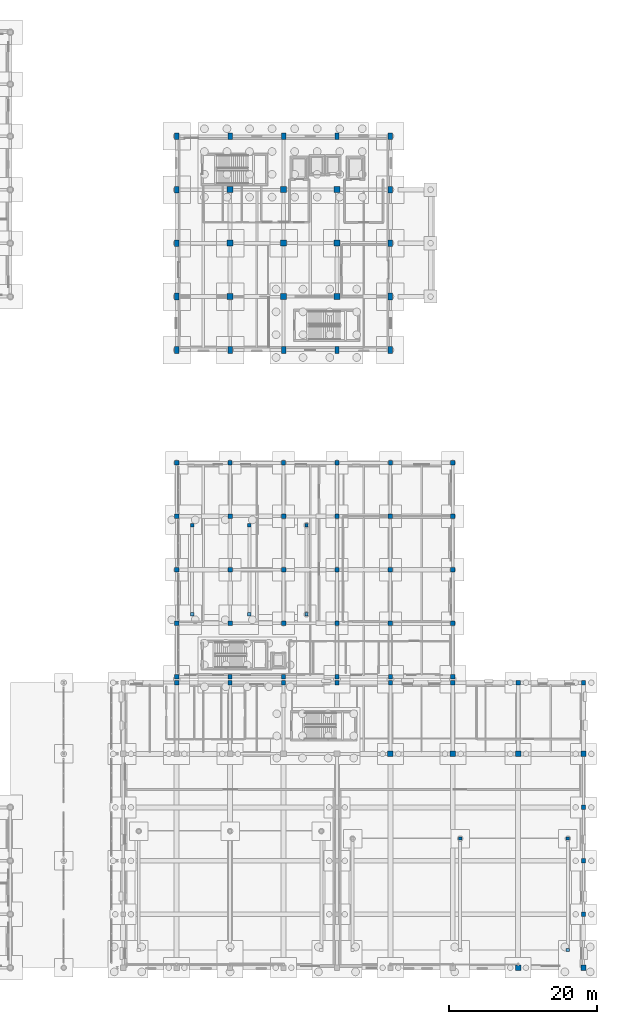
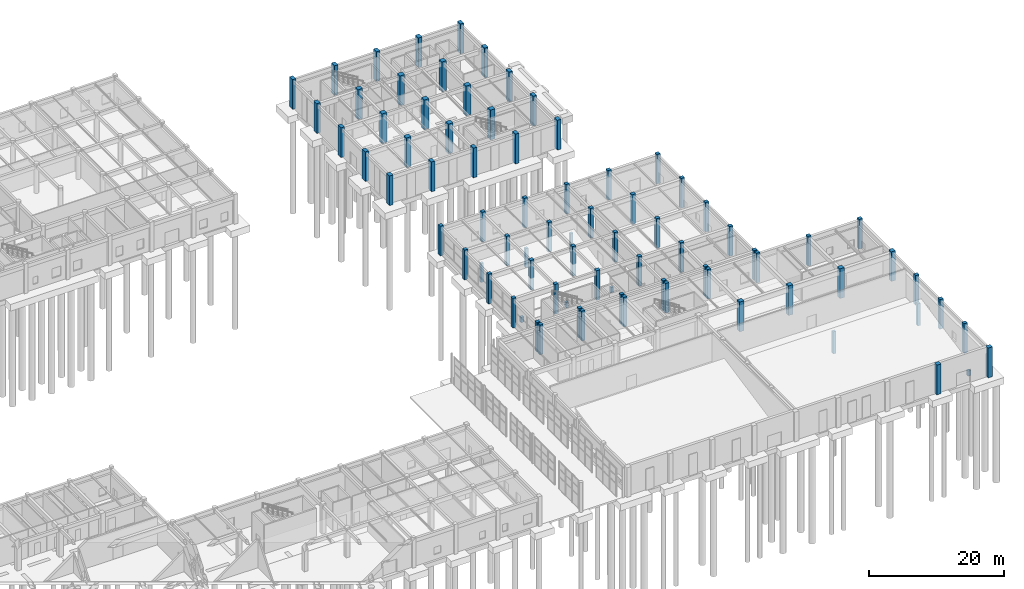
# One storey, part 14 of 91: 81 columns.
"""IFC4 building model written with IfcOpenShell, lengths in metres."""

import ifcopenshell
import ifcopenshell.guid

model = None  # the IFC model being written
_history = None  # IfcOwnerHistory: only IFC2X3 demands one
_inside = {}  # id of a spatial element -> (the spatial element, [elements in it])
_under = {}  # id of a project, library or spatial element -> (it, [spatial elements below it])
_declared = {}  # id of a project -> (the project, [libraries it declares])
_typed = {}  # id of a type object -> (the type object, [elements of that type])
_made_of = {}  # id of a material, layer set ... -> (it, [elements and type objects made of it])


def new_model(schema):
    """Start an empty IFC model of exactly this schema.

    Asked for "IFC4X3", IfcOpenShell would pick the latest addendum, in which some entities
    have other attributes; the version numbers below select the first issue.
    IFC2X3 requires an IfcOwnerHistory on every rooted entity: one is made here for all.
    """
    global model, _history
    if schema == "IFC4X3":
        model = ifcopenshell.file(schema_version=(4, 3, 0, 0))
    else:
        model = ifcopenshell.file(schema=schema)
    _inside.clear()
    _under.clear()
    _declared.clear()
    _typed.clear()
    _made_of.clear()
    _history = None
    if model.schema == "IFC2X3":
        org = make("IfcOrganization", Name="unknown")
        user = make(
            "IfcPersonAndOrganization",
            ThePerson=make("IfcPerson", FamilyName="unknown"),
            TheOrganization=org,
        )
        app = make(
            "IfcApplication",
            ApplicationDeveloper=org,
            Version="unknown",
            ApplicationFullName="unknown",
            ApplicationIdentifier="unknown",
        )
        _history = make(
            "IfcOwnerHistory",
            OwningUser=user,
            OwningApplication=app,
            ChangeAction="ADDED",
            CreationDate=0,
        )
    return model


def make(cls, **values):
    """One entity of the class cls with the attributes given. An attribute that is None is left unset."""
    return model.create_entity(
        cls, **{name: value for name, value in values.items() if value is not None}
    )


def rooted(cls, **values):
    """An entity with a GlobalId (a new one), such as an element, a storey or a relation."""
    return make(cls, GlobalId=ifcopenshell.guid.new(), OwnerHistory=_history, **values)


def si_unit(unit_type, name, prefix=None):
    """IfcSIUnit, for example si_unit("LENGTHUNIT", "METRE", prefix="MILLI")."""
    return make("IfcSIUnit", UnitType=unit_type, Prefix=prefix, Name=name)


def assignment(units):
    """IfcUnitAssignment: the units of a project."""
    return None if units is None else make("IfcUnitAssignment", Units=units)


def point(xyz):
    """IfcCartesianPoint."""
    return None if xyz is None else make("IfcCartesianPoint", Coordinates=xyz)


def direction(xyz):
    """IfcDirection."""
    return None if xyz is None else make("IfcDirection", DirectionRatios=xyz)


def frame(location, z_axis=None, x_axis=None):
    """IfcAxis2Placement3D, a coordinate frame: its origin and axes. An axis left out is left unset."""
    return make(
        "IfcAxis2Placement3D",
        Location=point(location),
        Axis=direction(z_axis),
        RefDirection=direction(x_axis),
    )


def frame_2d(location, x_axis=None):
    """IfcAxis2Placement2D, a coordinate frame in the plane: its origin and x axis."""
    return make(
        "IfcAxis2Placement2D", Location=point(location), RefDirection=direction(x_axis)
    )


def origin():
    """The frame at (0, 0, 0) with its axes left unset."""
    return frame((0.0, 0.0, 0.0))


def origin_2d():
    """The frame at (0, 0) in the plane with its x axis left unset."""
    return frame_2d((0.0, 0.0))


def place(relative_to, where):
    """IfcLocalPlacement: puts the frame where relative to a parent placement (None: the world)."""
    return make(
        "IfcLocalPlacement", PlacementRelTo=relative_to, RelativePlacement=where
    )


def context(
    kind, dimensions, precision=None, world=None, true_north=None, identifier=None
):
    """IfcGeometricRepresentationContext, for example the 3D "Model" context."""
    return make(
        "IfcGeometricRepresentationContext",
        ContextIdentifier=identifier,
        ContextType=kind,
        CoordinateSpaceDimension=dimensions,
        Precision=precision,
        WorldCoordinateSystem=world,
        TrueNorth=true_north,
    )


def subcontext(parent, identifier, kind, view, scale=None):
    """IfcGeometricRepresentationSubContext, for example "Body" below "Model"."""
    return make(
        "IfcGeometricRepresentationSubContext",
        ContextIdentifier=identifier,
        ContextType=kind,
        ParentContext=parent,
        TargetScale=scale,
        TargetView=view,
    )


def project(units=None, contexts=None):
    """IfcProject with its units and contexts."""
    return rooted(
        "IfcProject",
        Name="project",
        RepresentationContexts=contexts,
        UnitsInContext=assignment(units),
    )


def spatial(cls, under=None, at=None, **own):
    """A site, building, storey or space (cls), placed at a placement, below another one or the project."""
    s = rooted(cls, ObjectPlacement=at, **own)
    if under is not None:
        _under.setdefault(under.id(), (under, []))[1].append(s)
    return s


def profile(cls, at=None, kind="AREA", **sizes):
    """A parametric profile (cls). Its sizes go by their IFC names, for example OverallWidth=200.0."""
    return make(cls, ProfileType=kind, Position=at, **sizes)


def rectangle(**sizes):
    """IfcRectangleProfileDef."""
    return profile("IfcRectangleProfileDef", **sizes)


def extrude(swept, where, along, depth):
    """IfcExtrudedAreaSolid: the profile swept, set in the frame where, extruded along a direction by depth."""
    return make(
        "IfcExtrudedAreaSolid",
        SweptArea=swept,
        Position=where,
        ExtrudedDirection=direction(along),
        Depth=depth,
    )


def shape(context_of_items, identifier, shape_type, items):
    """IfcShapeRepresentation: the items that make up one representation, for example the "Body"."""
    return make(
        "IfcShapeRepresentation",
        ContextOfItems=context_of_items,
        RepresentationIdentifier=identifier,
        RepresentationType=shape_type,
        Items=items,
    )


def material(Name=None, Category=None):
    """IfcMaterial."""
    return make("IfcMaterial", Name=Name, Category=Category)


def material_profile(
    of_material, cross_section, Name=None, Category=None, Priority=None
):
    """IfcMaterialProfile: a cross section and its material."""
    return make(
        "IfcMaterialProfile",
        Name=Name,
        Material=of_material,
        Profile=cross_section,
        Priority=Priority,
        Category=Category,
    )


def profile_set(profiles, Name=None, composite=None):
    """IfcMaterialProfileSet."""
    return make(
        "IfcMaterialProfileSet",
        Name=Name,
        MaterialProfiles=profiles,
        CompositeProfile=composite,
    )


def made_of(thing, what):
    """Note that an element or type object is made of a material, layer set ...; save() writes the relation."""
    if what is not None:
        _made_of.setdefault(what.id(), (what, []))[1].append(thing)
    return thing


def type_object(cls, material=None, **own):
    """A type object (cls), such as IfcWallType, which elements share."""
    return made_of(rooted(cls, **own), material)


def element(
    cls,
    number,
    at=None,
    inside=None,
    cuts=None,
    type_object=None,
    material=None,
    context=None,
    identifier="Body",
    shape_type=None,
    held_by="IfcProductDefinitionShape",
    body=None,
    shapes=None,
    **own,
):
    """One element of the class cls, such as IfcWall. Its Tag is "e" and its number.

    at: its placement. inside: the storey or other place that contains it. cuts: it is an
    opening in that element (IfcRelVoidsElement). A single representation is given by context,
    identifier, shape_type and body (its items); several are given by shapes. held_by: the class
    of the entity that holds the representations. save() writes the other relations.
    """
    e = rooted(cls, Tag="e%d" % number, ObjectPlacement=at, **own)
    if body is not None:
        shapes = [shape(context, identifier, shape_type, body)]
    if shapes is not None:
        e.Representation = make(held_by, Representations=shapes)
    if inside is not None:
        _inside.setdefault(inside.id(), (inside, []))[1].append(e)
    if cuts is not None:
        rooted(
            "IfcRelVoidsElement", RelatingBuildingElement=cuts, RelatedOpeningElement=e
        )
    if type_object is not None:
        _typed.setdefault(type_object.id(), (type_object, []))[1].append(e)
    return made_of(e, material)


def aggregate(whole, parts):
    """IfcRelAggregates: a whole, such as a stair, and the parts it consists of."""
    return rooted("IfcRelAggregates", RelatingObject=whole, RelatedObjects=parts)


def save(model, path):
    """Write the relations noted so far, then the file.

    IfcRelAggregates (storeys below a building ...), IfcRelContainedInSpatialStructure (elements
    in a storey), IfcRelDefinesByType, IfcRelAssociatesMaterial and IfcRelDeclares: one each for
    every whole, place, type object, material and project.
    """
    for whole, parts in _under.values():
        aggregate(whole, parts)
    for where, things in _inside.values():
        rooted(
            "IfcRelContainedInSpatialStructure",
            RelatedElements=things,
            RelatingStructure=where,
        )
    for kind, things in _typed.values():
        rooted("IfcRelDefinesByType", RelatedObjects=things, RelatingType=kind)
    for what, things in _made_of.values():
        rooted("IfcRelAssociatesMaterial", RelatedObjects=things, RelatingMaterial=what)
    for by, libraries in _declared.values():
        rooted("IfcRelDeclares", RelatingContext=by, RelatedDefinitions=libraries)
    model.write(path)


model = new_model("IFC4")

# Units and contexts
model_context = context("Model", 3, precision=1e-05, world=origin(), true_north=direction((0.0, 1.0)))
body_context = subcontext(model_context, "Body", "Model", "MODEL_VIEW")
ifc_project = project(units=[si_unit("LENGTHUNIT", "METRE"), si_unit("AREAUNIT", "SQUARE_METRE"), si_unit("VOLUMEUNIT", "CUBIC_METRE"), si_unit("PLANEANGLEUNIT", "RADIAN"), si_unit("MASSUNIT", "GRAM", prefix="KILO")], contexts=[model_context])

# Site, building, storey
site_placement = place(None, origin())
site = spatial("IfcSite", under=ifc_project, at=site_placement, CompositionType="ELEMENT")
building_placement = place(site_placement, origin())
building = spatial("IfcBuilding", under=site, at=building_placement, Name="Bramveld Media Centre", CompositionType="ELEMENT")
storey_placement = place(building_placement, origin())
storey = spatial("IfcBuildingStorey", under=building, at=storey_placement, Name="L00", CompositionType="ELEMENT", Elevation=0.0)

# Columns
ifc_material_1 = material(Name="Concrete C40/50", Category="concrete")
ifc_material_profile_1 = material_profile(ifc_material_1, rectangle(XDim=0.580078125, YDim=0.580078125, at=origin_2d()), Name="RC 580x580")
ifc_profile_set_1 = profile_set([ifc_material_profile_1], Name="Concrete C40/50")
column_type_1 = type_object("IfcColumnType", Name="COL-EXT-RC-580x580", PredefinedType="COLUMN", material=ifc_profile_set_1)
for number, where, z_axis, x_axis, name in (
    (1, (131.199951171875, 38.39990234375, 0.0), (0.0, 0.0, 1.0), (1.0, 0.0, 0.0), "V1 L00 column RC 580x580"),
    (2, (138.39990234375, 38.39990234375, 0.0), (0.0, 0.0, 1.0), (1.0, 0.0, 0.0), "V1 L00 column RC 580x580"),
    (3, (145.60009765625, 38.39990234375, 0.0), (0.0, 0.0, 1.0), (1.0, 0.0, 0.0), "V1 L00 column RC 580x580"),
    (4, (152.800048828125, 38.39990234375, 0.0), (0.0, 0.0, 1.0), (1.0, 0.0, 0.0), "V1 L00 column RC 580x580"),
    (5, (160.0, 38.39990234375, 0.0), (0.0, 0.0, 1.0), (1.0, 0.0, 0.0), "V1 L00 column RC 580x580"),
    (6, (168.39990234375, 38.39990234375, 0.0), (0.0, 0.0, 1.0), (1.0, 0.0, 0.0), "V1 L00 column RC 580x580"),
    (7, (177.199951171875, 38.39990234375, 0.0), (0.0, 0.0, 1.0), (1.0, 0.0, 0.0), "V1 L00 column RC 580x580"),
    (8, (186.0, 7.199951171875, 0.0), (0.0, 0.0, 1.0), (1.0, 0.0, 0.0), "V1 L00 column RC 580x580"),
    (9, (186.0, 14.39990234375, 0.0), (0.0, 0.0, 1.0), (1.0, 0.0, 0.0), "V1 L00 column RC 580x580"),
    (10, (186.0, 21.60009765625, 0.0), (0.0, 0.0, 1.0), (1.0, 0.0, 0.0), "V1 L00 column RC 580x580"),
    (11, (186.0, 38.39990234375, 0.0), (0.0, 0.0, 1.0), (1.0, 0.0, 0.0), "V1 L00 column RC 580x580"),
    (12, (131.199951171875, 39.199951171875, 0.0), (0.0, 0.0, 1.0), (1.0, 0.0, 0.0), "V4 L00 column RC 580x580"),
    (13, (131.199951171875, 46.39990234375, 0.0), (0.0, 0.0, 1.0), (1.0, 0.0, 0.0), "V4 L00 column RC 580x580"),
    (14, (131.199951171875, 53.60009765625, 0.0), (0.0, 0.0, 1.0), (1.0, 0.0, 0.0), "V4 L00 column RC 580x580"),
    (15, (131.199951171875, 60.800048828125, 0.0), (0.0, 0.0, 1.0), (1.0, 0.0, 0.0), "V4 L00 column RC 580x580"),
    (16, (131.199951171875, 68.0, 0.0), (0.0, 0.0, 1.0), (1.0, 0.0, 0.0), "V4 L00 column RC 580x580"),
    (17, (138.39990234375, 39.199951171875, 0.0), (0.0, 0.0, 1.0), (1.0, 0.0, 0.0), "V4 L00 column RC 580x580"),
    (18, (138.39990234375, 68.0, 0.0), (0.0, 0.0, 1.0), (1.0, 0.0, 0.0), "V4 L00 column RC 580x580"),
    (19, (145.60009765625, 39.199951171875, 0.0), (0.0, 0.0, 1.0), (1.0, 0.0, 0.0), "V4 L00 column RC 580x580"),
    (20, (145.60009765625, 68.0, 0.0), (0.0, 0.0, 1.0), (1.0, 0.0, 0.0), "V4 L00 column RC 580x580"),
    (21, (152.800048828125, 39.199951171875, 0.0), (0.0, 0.0, 1.0), (1.0, 0.0, 0.0), "V4 L00 column RC 580x580"),
    (22, (152.800048828125, 68.0, 0.0), (0.0, 0.0, 1.0), (1.0, 0.0, 0.0), "V4 L00 column RC 580x580"),
    (23, (160.0, 39.199951171875, 0.0), (0.0, 0.0, 1.0), (1.0, 0.0, 0.0), "V4 L00 column RC 580x580"),
    (24, (160.0, 68.0, 0.0), (0.0, 0.0, 1.0), (1.0, 0.0, 0.0), "V4 L00 column RC 580x580"),
    (25, (168.39990234375, 39.199951171875, 0.0), (0.0, 0.0, 1.0), (1.0, 0.0, 0.0), "V4 L00 column RC 580x580"),
    (26, (168.39990234375, 46.39990234375, 0.0), (0.0, 0.0, 1.0), (1.0, 0.0, 0.0), "V4 L00 column RC 580x580"),
    (27, (168.39990234375, 53.60009765625, 0.0), (0.0, 0.0, 1.0), (1.0, 0.0, 0.0), "V4 L00 column RC 580x580"),
    (28, (168.39990234375, 60.800048828125, 0.0), (0.0, 0.0, 1.0), (1.0, 0.0, 0.0), "V4 L00 column RC 580x580"),
    (29, (168.39990234375, 68.0, 0.0), (0.0, 0.0, 1.0), (1.0, 0.0, 0.0), "V4 L00 column RC 580x580"),
):
    element("IfcColumn", number, at=place(storey_placement, frame(where, z_axis=z_axis, x_axis=x_axis)), inside=storey, type_object=column_type_1, Name=name, PredefinedType="COLUMN", context=body_context, shape_type="SweptSolid", body=[
        extrude(rectangle(XDim=0.580078125, YDim=0.580078125, at=origin_2d()), origin(), (0.0, 0.0, 1.0), 5.39990234375),
    ])
ifc_material_2 = material(Name="Concrete C40/50", Category="concrete")
ifc_material_profile_2 = material_profile(ifc_material_2, rectangle(XDim=0.60009765625, YDim=0.89990234375, at=origin_2d()), Name="RC 600x900")
ifc_profile_set_2 = profile_set([ifc_material_profile_2], Name="Concrete C40/50")
column_type_2 = type_object("IfcColumnType", Name="COL-EXT-RC-600x900", PredefinedType="COLUMN", material=ifc_profile_set_2)
for number, where, z_axis, x_axis, name in (
    (30, (131.199951171875, 83.199951171875, 0.0), (0.0, 0.0, 1.0), (1.0, 0.0, 0.0), "V7 L00 column RC 600x900"),
    (31, (131.199951171875, 90.39990234375, 0.0), (0.0, 0.0, 1.0), (1.0, 0.0, 0.0), "V7 L00 column RC 600x900"),
    (32, (131.199951171875, 97.60009765625, 0.0), (0.0, 0.0, 1.0), (1.0, 0.0, 0.0), "V7 L00 column RC 600x900"),
    (33, (131.199951171875, 104.800048828125, 0.0), (0.0, 0.0, 1.0), (1.0, 0.0, 0.0), "V7 L00 column RC 600x900"),
    (34, (131.199951171875, 112.0, 0.0), (0.0, 0.0, 1.0), (1.0, 0.0, 0.0), "V7 L00 column RC 600x900"),
    (35, (138.39990234375, 83.199951171875, 0.0), (0.0, 0.0, 1.0), (1.0, 0.0, 0.0), "V7 L00 column RC 600x900"),
    (36, (138.39990234375, 112.0, 0.0), (0.0, 0.0, 1.0), (1.0, 0.0, 0.0), "V7 L00 column RC 600x900"),
    (37, (145.60009765625, 83.199951171875, 0.0), (0.0, 0.0, 1.0), (1.0, 0.0, 0.0), "V7 L00 column RC 600x900"),
    (38, (145.60009765625, 112.0, 0.0), (0.0, 0.0, 1.0), (1.0, 0.0, 0.0), "V7 L00 column RC 600x900"),
    (39, (152.800048828125, 83.199951171875, 0.0), (0.0, 0.0, 1.0), (1.0, 0.0, 0.0), "V7 L00 column RC 600x900"),
    (40, (152.800048828125, 112.0, 0.0), (0.0, 0.0, 1.0), (1.0, 0.0, 0.0), "V7 L00 column RC 600x900"),
    (41, (160.0, 83.199951171875, 0.0), (0.0, 0.0, 1.0), (1.0, 0.0, 0.0), "V7 L00 column RC 600x900"),
    (42, (160.0, 90.39990234375, 0.0), (0.0, 0.0, 1.0), (1.0, 0.0, 0.0), "V7 L00 column RC 600x900"),
    (43, (160.0, 97.60009765625, 0.0), (0.0, 0.0, 1.0), (1.0, 0.0, 0.0), "V7 L00 column RC 600x900"),
    (44, (160.0, 104.800048828125, 0.0), (0.0, 0.0, 1.0), (1.0, 0.0, 0.0), "V7 L00 column RC 600x900"),
    (45, (160.0, 112.0, 0.0), (0.0, 0.0, 1.0), (1.0, 0.0, 0.0), "V7 L00 column RC 600x900"),
):
    element("IfcColumn", number, at=place(storey_placement, frame(where, z_axis=z_axis, x_axis=x_axis)), inside=storey, type_object=column_type_2, Name=name, PredefinedType="COLUMN", context=body_context, shape_type="SweptSolid", body=[
        extrude(rectangle(XDim=0.60009765625, YDim=0.89990234375, at=origin_2d()), origin(), (0.0, 0.0, 1.0), 5.39990234375),
    ])
ifc_material_3 = material(Name="Concrete C40/50", Category="concrete")
ifc_material_profile_3 = material_profile(ifc_material_3, rectangle(XDim=0.719970703125, YDim=0.719970703125, at=origin_2d()), Name="RC 720x720")
ifc_profile_set_3 = profile_set([ifc_material_profile_3], Name="Concrete C40/50")
column_type_3 = type_object("IfcColumnType", Name="COL-EXT-RC-720x720", PredefinedType="COLUMN", material=ifc_profile_set_3)
for number, where, z_axis, x_axis, name in (
    (46, (177.199951171875, 0.0, 0.0), (0.0, 0.0, 1.0), (1.0, 0.0, 0.0), "V1 L00 column RC 720x720"),
    (47, (186.0, 0.0, 0.0), (0.0, 0.0, 1.0), (1.0, 0.0, 0.0), "V1 L00 column RC 720x720"),
    (48, (186.0, 28.800048828125, 0.0), (0.0, 0.0, 1.0), (1.0, 0.0, 0.0), "V1 L00 column RC 720x720"),
):
    element("IfcColumn", number, at=place(storey_placement, frame(where, z_axis=z_axis, x_axis=x_axis)), inside=storey, type_object=column_type_3, Name=name, PredefinedType="COLUMN", context=body_context, shape_type="SweptSolid", body=[
        extrude(rectangle(XDim=0.719970703125, YDim=0.719970703125, at=origin_2d()), origin(), (0.0, 0.0, 1.0), 5.39990234375),
    ])
ifc_material_4 = material(Name="Concrete C40/50", Category="concrete")
ifc_material_profile_4 = material_profile(ifc_material_4, rectangle(XDim=0.449951171875, YDim=0.449951171875, at=origin_2d()), Name="RC 450x450")
ifc_profile_set_4 = profile_set([ifc_material_profile_4], Name="Concrete C40/50")
column_type_4 = type_object("IfcColumnType", Name="COL-INT-RC-450x450", PredefinedType="COLUMN", material=ifc_profile_set_4)
column_1_placement = place(storey_placement, frame((169.39990234375, 17.39990234375, -0.550048828125), z_axis=(0.0, 0.0, 1.0), x_axis=(1.0, 0.0, 0.0)))
element("IfcColumn", 49, at=column_1_placement, inside=storey, type_object=column_type_4, Name="Cinema 2 Raked Seating Slab upper raker column 2", PredefinedType="COLUMN", context=body_context, shape_type="SweptSolid", body=[
    extrude(rectangle(XDim=0.449951171875, YDim=0.449951171875, at=origin_2d()), origin(), (0.0, 0.0, 1.0), 4.01513671875),
])
column_2_placement = place(storey_placement, frame((183.89990234375, 2.39990234375, -0.550048828125), z_axis=(0.0, 0.0, 1.0), x_axis=(1.0, 0.0, 0.0)))
element("IfcColumn", 50, at=column_2_placement, inside=storey, type_object=column_type_4, Name="Cinema 2 Raked Seating Slab lower raker pedestal 3", PredefinedType="COLUMN", context=body_context, shape_type="SweptSolid", body=[
    extrude(rectangle(XDim=0.449951171875, YDim=0.449951171875, at=origin_2d()), origin(), (0.0, 0.0, 1.0), 0.945068359375),
])
column_3_placement = place(storey_placement, frame((183.89990234375, 17.39990234375, -0.550048828125), z_axis=(0.0, 0.0, 1.0), x_axis=(1.0, 0.0, 0.0)))
element("IfcColumn", 51, at=column_3_placement, inside=storey, type_object=column_type_4, Name="Cinema 2 Raked Seating Slab upper raker column 3", PredefinedType="COLUMN", context=body_context, shape_type="SweptSolid", body=[
    extrude(rectangle(XDim=0.449951171875, YDim=0.449951171875, at=origin_2d()), origin(), (0.0, 0.0, 1.0), 4.01513671875),
])
column_4_placement = place(storey_placement, frame((133.300048828125, 47.60009765625, -0.550048828125), z_axis=(0.0, 0.0, 1.0), x_axis=(1.0, 0.0, 0.0)))
element("IfcColumn", 52, at=column_4_placement, inside=storey, type_object=column_type_4, Name="Screen 7 Raked Seating Slab lower raker pedestal 1", PredefinedType="COLUMN", context=body_context, shape_type="SweptSolid", body=[
    extrude(rectangle(XDim=0.449951171875, YDim=0.449951171875, at=origin_2d()), origin(), (0.0, 0.0, 1.0), 0.985107421875),
])
column_5_placement = place(storey_placement, frame((133.300048828125, 59.60009765625, -0.550048828125), z_axis=(0.0, 0.0, 1.0), x_axis=(1.0, 0.0, 0.0)))
element("IfcColumn", 53, at=column_5_placement, inside=storey, type_object=column_type_4, Name="Screen 7 Raked Seating Slab upper raker column 1", PredefinedType="COLUMN", context=body_context, shape_type="SweptSolid", body=[
    extrude(rectangle(XDim=0.449951171875, YDim=0.449951171875, at=origin_2d()), origin(), (0.0, 0.0, 1.0), 3.455078125),
])
column_6_placement = place(storey_placement, frame((141.0, 47.60009765625, -0.550048828125), z_axis=(0.0, 0.0, 1.0), x_axis=(1.0, 0.0, 0.0)))
element("IfcColumn", 54, at=column_6_placement, inside=storey, type_object=column_type_4, Name="Screen 7 Raked Seating Slab lower raker pedestal 2", PredefinedType="COLUMN", context=body_context, shape_type="SweptSolid", body=[
    extrude(rectangle(XDim=0.449951171875, YDim=0.449951171875, at=origin_2d()), origin(), (0.0, 0.0, 1.0), 0.985107421875),
])
column_7_placement = place(storey_placement, frame((141.0, 59.60009765625, -0.550048828125), z_axis=(0.0, 0.0, 1.0), x_axis=(1.0, 0.0, 0.0)))
element("IfcColumn", 55, at=column_7_placement, inside=storey, type_object=column_type_4, Name="Screen 7 Raked Seating Slab upper raker column 2", PredefinedType="COLUMN", context=body_context, shape_type="SweptSolid", body=[
    extrude(rectangle(XDim=0.449951171875, YDim=0.449951171875, at=origin_2d()), origin(), (0.0, 0.0, 1.0), 3.455078125),
])
column_8_placement = place(storey_placement, frame((148.699951171875, 47.60009765625, -0.550048828125), z_axis=(0.0, 0.0, 1.0), x_axis=(1.0, 0.0, 0.0)))
element("IfcColumn", 56, at=column_8_placement, inside=storey, type_object=column_type_4, Name="Screen 7 Raked Seating Slab lower raker pedestal 3", PredefinedType="COLUMN", context=body_context, shape_type="SweptSolid", body=[
    extrude(rectangle(XDim=0.449951171875, YDim=0.449951171875, at=origin_2d()), origin(), (0.0, 0.0, 1.0), 0.985107421875),
])
column_9_placement = place(storey_placement, frame((148.699951171875, 59.60009765625, -0.550048828125), z_axis=(0.0, 0.0, 1.0), x_axis=(1.0, 0.0, 0.0)))
element("IfcColumn", 57, at=column_9_placement, inside=storey, type_object=column_type_4, Name="Screen 7 Raked Seating Slab upper raker column 3", PredefinedType="COLUMN", context=body_context, shape_type="SweptSolid", body=[
    extrude(rectangle(XDim=0.449951171875, YDim=0.449951171875, at=origin_2d()), origin(), (0.0, 0.0, 1.0), 3.455078125),
])
ifc_material_5 = material(Name="Concrete C40/50", Category="concrete")
ifc_material_profile_5 = material_profile(ifc_material_5, rectangle(XDim=0.60009765625, YDim=0.60009765625, at=origin_2d()), Name="RC 600x600")
ifc_profile_set_5 = profile_set([ifc_material_profile_5], Name="Concrete C40/50")
column_type_5 = type_object("IfcColumnType", Name="COL-INT-RC-600x600", PredefinedType="COLUMN", material=ifc_profile_set_5)
for number, where, z_axis, x_axis, name in (
    (58, (138.39990234375, 46.39990234375, 0.0), (0.0, 0.0, 1.0), (1.0, 0.0, 0.0), "V4 L00 column RC 600x600"),
    (59, (138.39990234375, 53.60009765625, 0.0), (0.0, 0.0, 1.0), (1.0, 0.0, 0.0), "V4 L00 column RC 600x600"),
    (60, (138.39990234375, 60.800048828125, 0.0), (0.0, 0.0, 1.0), (1.0, 0.0, 0.0), "V4 L00 column RC 600x600"),
    (61, (145.60009765625, 46.39990234375, 0.0), (0.0, 0.0, 1.0), (1.0, 0.0, 0.0), "V4 L00 column RC 600x600"),
    (62, (145.60009765625, 53.60009765625, 0.0), (0.0, 0.0, 1.0), (1.0, 0.0, 0.0), "V4 L00 column RC 600x600"),
    (63, (145.60009765625, 60.800048828125, 0.0), (0.0, 0.0, 1.0), (1.0, 0.0, 0.0), "V4 L00 column RC 600x600"),
    (64, (152.800048828125, 46.39990234375, 0.0), (0.0, 0.0, 1.0), (1.0, 0.0, 0.0), "V4 L00 column RC 600x600"),
    (65, (152.800048828125, 53.60009765625, 0.0), (0.0, 0.0, 1.0), (1.0, 0.0, 0.0), "V4 L00 column RC 600x600"),
    (66, (152.800048828125, 60.800048828125, 0.0), (0.0, 0.0, 1.0), (1.0, 0.0, 0.0), "V4 L00 column RC 600x600"),
    (67, (160.0, 46.39990234375, 0.0), (0.0, 0.0, 1.0), (1.0, 0.0, 0.0), "V4 L00 column RC 600x600"),
    (68, (160.0, 53.60009765625, 0.0), (0.0, 0.0, 1.0), (1.0, 0.0, 0.0), "V4 L00 column RC 600x600"),
    (69, (160.0, 60.800048828125, 0.0), (0.0, 0.0, 1.0), (1.0, 0.0, 0.0), "V4 L00 column RC 600x600"),
):
    element("IfcColumn", number, at=place(storey_placement, frame(where, z_axis=z_axis, x_axis=x_axis)), inside=storey, type_object=column_type_5, Name=name, PredefinedType="COLUMN", context=body_context, shape_type="SweptSolid", body=[
        extrude(rectangle(XDim=0.60009765625, YDim=0.60009765625, at=origin_2d()), origin(), (0.0, 0.0, 1.0), 5.39990234375),
    ])
ifc_material_6 = material(Name="Concrete C40/50", Category="concrete")
ifc_material_profile_6 = material_profile(ifc_material_6, rectangle(XDim=0.75, YDim=0.75, at=origin_2d()), Name="RC 750x750")
ifc_profile_set_6 = profile_set([ifc_material_profile_6], Name="Concrete C40/50")
column_type_6 = type_object("IfcColumnType", Name="COL-INT-RC-750x750", PredefinedType="COLUMN", material=ifc_profile_set_6)
for number, where, z_axis, x_axis, name in (
    (70, (160.0, 28.800048828125, 0.0), (0.0, 0.0, 1.0), (1.0, 0.0, 0.0), "V1 L00 column RC 750x750"),
    (71, (168.39990234375, 28.800048828125, 0.0), (0.0, 0.0, 1.0), (1.0, 0.0, 0.0), "V1 L00 column RC 750x750"),
    (72, (177.199951171875, 28.800048828125, 0.0), (0.0, 0.0, 1.0), (1.0, 0.0, 0.0), "V1 L00 column RC 750x750"),
):
    element("IfcColumn", number, at=place(storey_placement, frame(where, z_axis=z_axis, x_axis=x_axis)), inside=storey, type_object=column_type_6, Name=name, PredefinedType="COLUMN", context=body_context, shape_type="SweptSolid", body=[
        extrude(rectangle(XDim=0.75, YDim=0.75, at=origin_2d()), origin(), (0.0, 0.0, 1.0), 5.39990234375),
    ])
ifc_material_7 = material(Name="Concrete C40/50", Category="concrete")
ifc_material_profile_7 = material_profile(ifc_material_7, rectangle(XDim=0.800048828125, YDim=0.800048828125, at=origin_2d()), Name="RC 800x800")
ifc_profile_set_7 = profile_set([ifc_material_profile_7], Name="Concrete C40/50")
column_type_7 = type_object("IfcColumnType", Name="COL-INT-RC-800x800", PredefinedType="COLUMN", material=ifc_profile_set_7)
for number, where, z_axis, x_axis, name in (
    (73, (138.39990234375, 90.39990234375, 0.0), (0.0, 0.0, 1.0), (1.0, 0.0, 0.0), "V7 L00 column RC 800x800"),
    (74, (138.39990234375, 97.60009765625, 0.0), (0.0, 0.0, 1.0), (1.0, 0.0, 0.0), "V7 L00 column RC 800x800"),
    (75, (138.39990234375, 104.800048828125, 0.0), (0.0, 0.0, 1.0), (1.0, 0.0, 0.0), "V7 L00 column RC 800x800"),
    (76, (145.60009765625, 90.39990234375, 0.0), (0.0, 0.0, 1.0), (1.0, 0.0, 0.0), "V7 L00 column RC 800x800"),
    (77, (145.60009765625, 97.60009765625, 0.0), (0.0, 0.0, 1.0), (1.0, 0.0, 0.0), "V7 L00 column RC 800x800"),
    (78, (145.60009765625, 104.800048828125, 0.0), (0.0, 0.0, 1.0), (1.0, 0.0, 0.0), "V7 L00 column RC 800x800"),
    (79, (152.800048828125, 90.39990234375, 0.0), (0.0, 0.0, 1.0), (1.0, 0.0, 0.0), "V7 L00 column RC 800x800"),
    (80, (152.800048828125, 97.60009765625, 0.0), (0.0, 0.0, 1.0), (1.0, 0.0, 0.0), "V7 L00 column RC 800x800"),
    (81, (152.800048828125, 104.800048828125, 0.0), (0.0, 0.0, 1.0), (1.0, 0.0, 0.0), "V7 L00 column RC 800x800"),
):
    element("IfcColumn", number, at=place(storey_placement, frame(where, z_axis=z_axis, x_axis=x_axis)), inside=storey, type_object=column_type_7, Name=name, PredefinedType="COLUMN", context=body_context, shape_type="SweptSolid", body=[
        extrude(rectangle(XDim=0.800048828125, YDim=0.800048828125, at=origin_2d()), origin(), (0.0, 0.0, 1.0), 5.39990234375),
    ])

save(model, "model.ifc")
